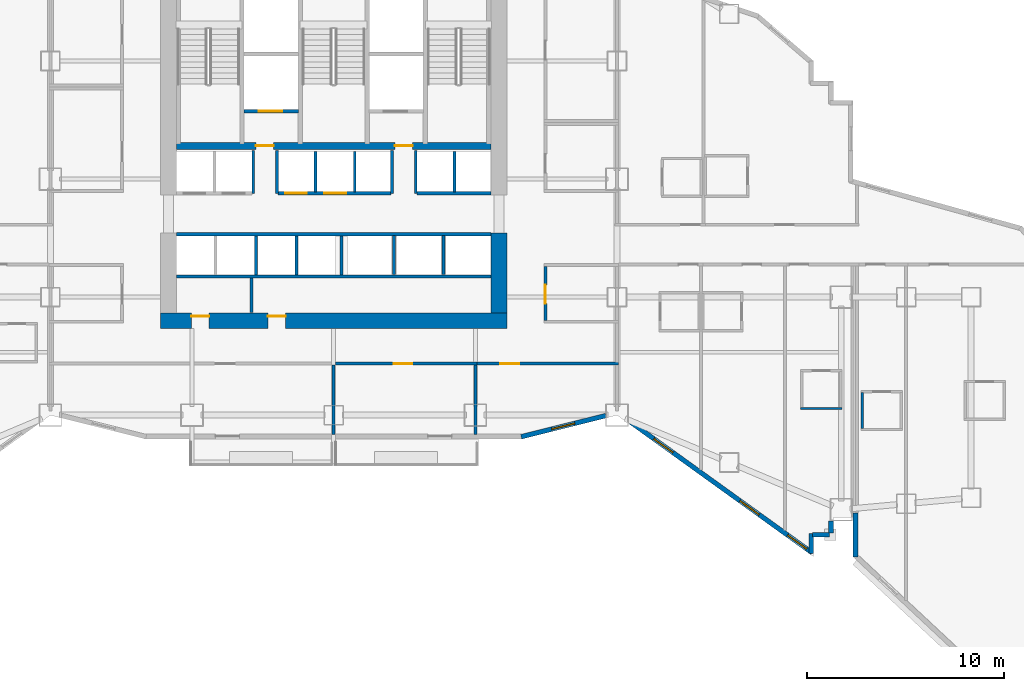
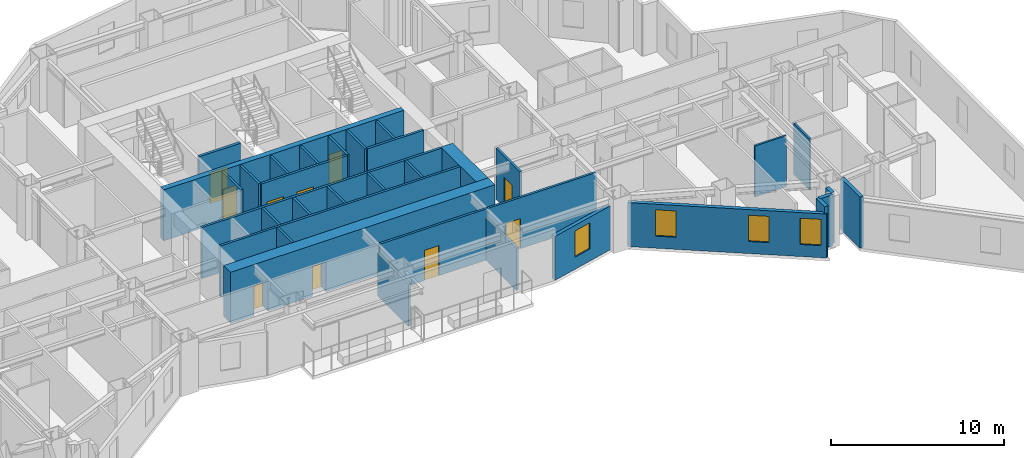
# One storey, part 9 of 16: 34 walls, 10 doors, 4 windows, 14 openings.
"""IFC4 building model written with IfcOpenShell, lengths in metres."""

import ifcopenshell
import ifcopenshell.guid

model = None  # the IFC model being written
_history = None  # IfcOwnerHistory: only IFC2X3 demands one
_inside = {}  # id of a spatial element -> (the spatial element, [elements in it])
_under = {}  # id of a project, library or spatial element -> (it, [spatial elements below it])
_declared = {}  # id of a project -> (the project, [libraries it declares])
_typed = {}  # id of a type object -> (the type object, [elements of that type])
_made_of = {}  # id of a material, layer set ... -> (it, [elements and type objects made of it])


def new_model(schema):
    """Start an empty IFC model of exactly this schema.

    Asked for "IFC4X3", IfcOpenShell would pick the latest addendum, in which some entities
    have other attributes; the version numbers below select the first issue.
    IFC2X3 requires an IfcOwnerHistory on every rooted entity: one is made here for all.
    """
    global model, _history
    if schema == "IFC4X3":
        model = ifcopenshell.file(schema_version=(4, 3, 0, 0))
    else:
        model = ifcopenshell.file(schema=schema)
    _inside.clear()
    _under.clear()
    _declared.clear()
    _typed.clear()
    _made_of.clear()
    _history = None
    if model.schema == "IFC2X3":
        org = make("IfcOrganization", Name="unknown")
        user = make(
            "IfcPersonAndOrganization",
            ThePerson=make("IfcPerson", FamilyName="unknown"),
            TheOrganization=org,
        )
        app = make(
            "IfcApplication",
            ApplicationDeveloper=org,
            Version="unknown",
            ApplicationFullName="unknown",
            ApplicationIdentifier="unknown",
        )
        _history = make(
            "IfcOwnerHistory",
            OwningUser=user,
            OwningApplication=app,
            ChangeAction="ADDED",
            CreationDate=0,
        )
    return model


def make(cls, **values):
    """One entity of the class cls with the attributes given. An attribute that is None is left unset."""
    return model.create_entity(
        cls, **{name: value for name, value in values.items() if value is not None}
    )


def rooted(cls, **values):
    """An entity with a GlobalId (a new one), such as an element, a storey or a relation."""
    return make(cls, GlobalId=ifcopenshell.guid.new(), OwnerHistory=_history, **values)


def si_unit(unit_type, name, prefix=None):
    """IfcSIUnit, for example si_unit("LENGTHUNIT", "METRE", prefix="MILLI")."""
    return make("IfcSIUnit", UnitType=unit_type, Prefix=prefix, Name=name)


def assignment(units):
    """IfcUnitAssignment: the units of a project."""
    return None if units is None else make("IfcUnitAssignment", Units=units)


def point(xyz):
    """IfcCartesianPoint."""
    return None if xyz is None else make("IfcCartesianPoint", Coordinates=xyz)


def direction(xyz):
    """IfcDirection."""
    return None if xyz is None else make("IfcDirection", DirectionRatios=xyz)


def frame(location, z_axis=None, x_axis=None):
    """IfcAxis2Placement3D, a coordinate frame: its origin and axes. An axis left out is left unset."""
    return make(
        "IfcAxis2Placement3D",
        Location=point(location),
        Axis=direction(z_axis),
        RefDirection=direction(x_axis),
    )


def frame_2d(location, x_axis=None):
    """IfcAxis2Placement2D, a coordinate frame in the plane: its origin and x axis."""
    return make(
        "IfcAxis2Placement2D", Location=point(location), RefDirection=direction(x_axis)
    )


def origin():
    """The frame at (0, 0, 0) with its axes left unset."""
    return frame((0.0, 0.0, 0.0))


def place(relative_to, where):
    """IfcLocalPlacement: puts the frame where relative to a parent placement (None: the world)."""
    return make(
        "IfcLocalPlacement", PlacementRelTo=relative_to, RelativePlacement=where
    )


def context(
    kind, dimensions, precision=None, world=None, true_north=None, identifier=None
):
    """IfcGeometricRepresentationContext, for example the 3D "Model" context."""
    return make(
        "IfcGeometricRepresentationContext",
        ContextIdentifier=identifier,
        ContextType=kind,
        CoordinateSpaceDimension=dimensions,
        Precision=precision,
        WorldCoordinateSystem=world,
        TrueNorth=true_north,
    )


def subcontext(parent, identifier, kind, view, scale=None):
    """IfcGeometricRepresentationSubContext, for example "Body" below "Model"."""
    return make(
        "IfcGeometricRepresentationSubContext",
        ContextIdentifier=identifier,
        ContextType=kind,
        ParentContext=parent,
        TargetScale=scale,
        TargetView=view,
    )


def project(units=None, contexts=None):
    """IfcProject with its units and contexts."""
    return rooted(
        "IfcProject",
        Name="project",
        RepresentationContexts=contexts,
        UnitsInContext=assignment(units),
    )


def spatial(cls, under=None, at=None, **own):
    """A site, building, storey or space (cls), placed at a placement, below another one or the project."""
    s = rooted(cls, ObjectPlacement=at, **own)
    if under is not None:
        _under.setdefault(under.id(), (under, []))[1].append(s)
    return s


def profile(cls, at=None, kind="AREA", **sizes):
    """A parametric profile (cls). Its sizes go by their IFC names, for example OverallWidth=200.0."""
    return make(cls, ProfileType=kind, Position=at, **sizes)


def rectangle(**sizes):
    """IfcRectangleProfileDef."""
    return profile("IfcRectangleProfileDef", **sizes)


def extrude(swept, where, along, depth):
    """IfcExtrudedAreaSolid: the profile swept, set in the frame where, extruded along a direction by depth."""
    return make(
        "IfcExtrudedAreaSolid",
        SweptArea=swept,
        Position=where,
        ExtrudedDirection=direction(along),
        Depth=depth,
    )


def shape(context_of_items, identifier, shape_type, items):
    """IfcShapeRepresentation: the items that make up one representation, for example the "Body"."""
    return make(
        "IfcShapeRepresentation",
        ContextOfItems=context_of_items,
        RepresentationIdentifier=identifier,
        RepresentationType=shape_type,
        Items=items,
    )


def material(Name=None, Category=None):
    """IfcMaterial."""
    return make("IfcMaterial", Name=Name, Category=Category)


def layer(
    of_material, thickness, ventilated=None, Name=None, Category=None, Priority=None
):
    """IfcMaterialLayer: one layer of a wall or slab, of a material (None: an air gap)."""
    return make(
        "IfcMaterialLayer",
        Material=of_material,
        LayerThickness=thickness,
        IsVentilated=ventilated,
        Name=Name,
        Category=Category,
        Priority=Priority,
    )


def layer_set(layers, Name=None):
    """IfcMaterialLayerSet."""
    return make("IfcMaterialLayerSet", MaterialLayers=layers, LayerSetName=Name)


def made_of(thing, what):
    """Note that an element or type object is made of a material, layer set ...; save() writes the relation."""
    if what is not None:
        _made_of.setdefault(what.id(), (what, []))[1].append(thing)
    return thing


def type_object(cls, material=None, **own):
    """A type object (cls), such as IfcWallType, which elements share."""
    return made_of(rooted(cls, **own), material)


def element(
    cls,
    number,
    at=None,
    inside=None,
    cuts=None,
    type_object=None,
    material=None,
    context=None,
    identifier="Body",
    shape_type=None,
    held_by="IfcProductDefinitionShape",
    body=None,
    shapes=None,
    **own,
):
    """One element of the class cls, such as IfcWall. Its Tag is "e" and its number.

    at: its placement. inside: the storey or other place that contains it. cuts: it is an
    opening in that element (IfcRelVoidsElement). A single representation is given by context,
    identifier, shape_type and body (its items); several are given by shapes. held_by: the class
    of the entity that holds the representations. save() writes the other relations.
    """
    e = rooted(cls, Tag="e%d" % number, ObjectPlacement=at, **own)
    if body is not None:
        shapes = [shape(context, identifier, shape_type, body)]
    if shapes is not None:
        e.Representation = make(held_by, Representations=shapes)
    if inside is not None:
        _inside.setdefault(inside.id(), (inside, []))[1].append(e)
    if cuts is not None:
        rooted(
            "IfcRelVoidsElement", RelatingBuildingElement=cuts, RelatedOpeningElement=e
        )
    if type_object is not None:
        _typed.setdefault(type_object.id(), (type_object, []))[1].append(e)
    return made_of(e, material)


def fill(opening, filler):
    """IfcRelFillsElement: the door or window that sits in an opening."""
    return rooted(
        "IfcRelFillsElement",
        RelatingOpeningElement=opening,
        RelatedBuildingElement=filler,
    )


def aggregate(whole, parts):
    """IfcRelAggregates: a whole, such as a stair, and the parts it consists of."""
    return rooted("IfcRelAggregates", RelatingObject=whole, RelatedObjects=parts)


def save(model, path):
    """Write the relations noted so far, then the file.

    IfcRelAggregates (storeys below a building ...), IfcRelContainedInSpatialStructure (elements
    in a storey), IfcRelDefinesByType, IfcRelAssociatesMaterial and IfcRelDeclares: one each for
    every whole, place, type object, material and project.
    """
    for whole, parts in _under.values():
        aggregate(whole, parts)
    for where, things in _inside.values():
        rooted(
            "IfcRelContainedInSpatialStructure",
            RelatedElements=things,
            RelatingStructure=where,
        )
    for kind, things in _typed.values():
        rooted("IfcRelDefinesByType", RelatedObjects=things, RelatingType=kind)
    for what, things in _made_of.values():
        rooted("IfcRelAssociatesMaterial", RelatedObjects=things, RelatingMaterial=what)
    for by, libraries in _declared.values():
        rooted("IfcRelDeclares", RelatingContext=by, RelatedDefinitions=libraries)
    model.write(path)


model = new_model("IFC4")

# Units and contexts
model_context = context("Model", 3, precision=1e-05, world=origin(), true_north=direction((0.0, 1.0)))
body_context = subcontext(model_context, "Body", "Model", "MODEL_VIEW")
ifc_project = project(units=[si_unit("LENGTHUNIT", "METRE"), si_unit("AREAUNIT", "SQUARE_METRE"), si_unit("VOLUMEUNIT", "CUBIC_METRE"), si_unit("PLANEANGLEUNIT", "RADIAN"), si_unit("MASSUNIT", "GRAM", prefix="KILO")], contexts=[model_context])

# Site, building, storey
site_placement = place(None, origin())
site = spatial("IfcSite", under=ifc_project, at=site_placement, CompositionType="ELEMENT")
building_placement = place(site_placement, origin())
building = spatial("IfcBuilding", under=site, at=building_placement, Name="Haolan Belvedere Tower", CompositionType="ELEMENT")
storey_placement = place(building_placement, frame((0.0, 0.0, 62.800048828125)))
storey = spatial("IfcBuildingStorey", under=building, at=storey_placement, Name="L15", CompositionType="ELEMENT", Elevation=62.800048828125)

# Wall, openings, doors
ifc_material_1 = material(Name="Concrete C70/85", Category="concrete")
ifc_layer_1 = layer(ifc_material_1, 0.800048828125, Name="Concrete C70/85")
ifc_layer_set_1 = layer_set([ifc_layer_1], Name="Concrete C70/85")
wall_type_1 = type_object("IfcWallType", Name="WL-CORE-800", PredefinedType="SHEAR", material=ifc_layer_set_1)
wall_1_placement = place(storey_placement, frame((29.60009765625, 26.39990234375, 0.0), z_axis=(0.0, 0.0, 1.0), x_axis=(1.0, 0.0, 0.0)))
wall_1 = element("IfcWall", 1, at=wall_1_placement, inside=storey, type_object=wall_type_1, Name="L15 central core south shear wall", PredefinedType="SHEAR", context=body_context, shape_type="SweptSolid", body=[
    extrude(rectangle(XDim=17.599853515625, YDim=0.800048828125, at=frame_2d((8.7998046875, 0.0))), origin(), (0.0, 0.0, 1.0), 3.599853515625),
])
opening_1_placement = place(wall_1_placement, frame((2.469970703125, 0.0, 0.0), z_axis=(0.0, 0.0, 1.0), x_axis=(-1.0, 0.0, 0.0)))
opening_1 = element("IfcOpeningElement", 2, at=opening_1_placement, cuts=wall_1, Name="Opening FD-05", PredefinedType="OPENING", context=body_context, shape_type="SweptSolid", body=[
    extrude(rectangle(XDim=0.89990234375, YDim=2.10009765625, at=frame_2d((0.449951171875, 1.050048828125))), frame((0.0, 0.409912109375, 0.0), z_axis=(0.0, -1.0, 0.0), x_axis=(1.0, 0.0, 0.0)), (0.0, 0.0, 1.0), 0.820068359375),
])
opening_2_placement = place(wall_1_placement, frame((6.35986328125, 0.0, 0.0), z_axis=(0.0, 0.0, 1.0), x_axis=(-1.0, 0.0, 0.0)))
opening_2 = element("IfcOpeningElement", 3, at=opening_2_placement, cuts=wall_1, Name="Opening FD-05", PredefinedType="OPENING", context=body_context, shape_type="SweptSolid", body=[
    extrude(rectangle(XDim=0.89990234375, YDim=2.10009765625, at=frame_2d((0.449951171875, 1.050048828125))), frame((0.0, 0.409912109375, 0.0), z_axis=(0.0, -1.0, 0.0), x_axis=(1.0, 0.0, 0.0)), (0.0, 0.0, 1.0), 0.820068359375),
])
ifc_material_2 = material(Name="Galvanised fire-rated steel", Category="steel")
door_type_1 = type_object("IfcDoorType", Name="DR-FD60-900", OperationType="NOTDEFINED", PredefinedType="DOOR", material=ifc_material_2)
door_1_placement = place(opening_1_placement, origin())
door_1 = element("IfcDoor", 4, at=door_1_placement, inside=storey, type_object=door_type_1, Name="L15 door CD-L15-SCV-1", OperationType="SINGLE_SWING_LEFT", OverallHeight=2.10009765625, OverallWidth=0.89990234375, PredefinedType="DOOR", context=body_context, shape_type="SweptSolid", body=[
    extrude(rectangle(XDim=0.89990234375, YDim=2.10009765625, at=frame_2d((0.449951171875, 1.050048828125))), frame((0.0, -0.19482421875, 0.0), z_axis=(0.0, -1.0, 0.0), x_axis=(1.0, 0.0, 0.0)), (0.0, 0.0, 1.0), 0.050048828125),
])
fill(opening_1, door_1)
door_2_placement = place(opening_2_placement, origin())
door_2 = element("IfcDoor", 5, at=door_2_placement, inside=storey, type_object=door_type_1, Name="L15 door CD-L15-SCV-2", OperationType="SINGLE_SWING_RIGHT", OverallHeight=2.10009765625, OverallWidth=0.89990234375, PredefinedType="DOOR", context=body_context, shape_type="SweptSolid", body=[
    extrude(rectangle(XDim=0.89990234375, YDim=2.10009765625, at=frame_2d((0.449951171875, 1.050048828125))), frame((0.0, -0.19482421875, 0.0), z_axis=(0.0, -1.0, 0.0), x_axis=(1.0, 0.0, 0.0)), (0.0, 0.0, 1.0), 0.050048828125),
])
fill(opening_2, door_2)

# Wall
wall_2_placement = place(storey_placement, frame((46.800048828125, 26.800048828125, 0.0), z_axis=(0.0, 0.0, 1.0), x_axis=(0.0, 1.0, 0.0)))
element("IfcWall", 6, at=wall_2_placement, inside=storey, type_object=wall_type_1, Name="L15 central core shear wall ES", PredefinedType="SHEAR", context=body_context, shape_type="SweptSolid", body=[
    extrude(rectangle(XDim=4.050048828125, YDim=0.800048828125, at=frame_2d((2.02490234375, 0.0))), origin(), (0.0, 0.0, 1.0), 3.599853515625),
])

# Wall, opening, window
ifc_material_3 = material(Name="Precast concrete C40/50", Category="concrete")
ifc_layer_2 = layer(ifc_material_3, 0.239990234375, Name="Precast concrete C40/50")
ifc_layer_set_2 = layer_set([ifc_layer_2], Name="Precast concrete C40/50")
wall_type_2 = type_object("IfcWallType", Name="WL-EXT-240", PredefinedType="SOLIDWALL", material=ifc_layer_set_2)
wall_3_placement = place(storey_placement, frame((47.931884765625, 20.506591796875, 0.0), z_axis=(0.0, 0.0, 1.0), x_axis=(0.970145739396, 0.242522667667, 0.0)))
wall_3 = element("IfcWall", 7, at=wall_3_placement, inside=storey, type_object=wall_type_2, Name="L15 pale-metal exterior spandrel wall 14.1", PredefinedType="SOLIDWALL", context=body_context, shape_type="SweptSolid", body=[
    extrude(rectangle(XDim=4.433349609375, YDim=0.239990234375, at=frame_2d((2.216796875, 0.0))), origin(), (0.0, 0.0, 1.0), 3.096923828125),
])
opening_3_placement = place(wall_3_placement, frame((1.60009765625, 0.0, 0.85009765625)))
opening_3 = element("IfcOpeningElement", 8, at=opening_3_placement, cuts=wall_3, Name="Opening W-01", PredefinedType="OPENING", context=body_context, shape_type="SweptSolid", body=[
    extrude(rectangle(XDim=1.199951171875, YDim=1.85009765625, at=frame_2d((0.60009765625, 0.925048828125))), frame((0.0, 0.1298828125, 0.0), z_axis=(0.0, -1.0, 0.0), x_axis=(1.0, 0.0, 0.0)), (0.0, 0.0, 1.0), 0.260009765625),
])
ifc_material_4 = material(Name="Anodised aluminium 6063-T6 and Low-E glass", Category="aluminium")
window_type = type_object("IfcWindowType", Name="WN-DECO-Z1", PartitioningType="SINGLE_PANEL", PredefinedType="WINDOW", material=ifc_material_4)
window_1_placement = place(opening_3_placement, origin())
window_1 = element("IfcWindow", 9, at=window_1_placement, inside=storey, type_object=window_type, Name="L15 Art Deco chevron window 1", OverallHeight=1.85009765625, OverallWidth=1.199951171875, PartitioningType="SINGLE_PANEL", PredefinedType="WINDOW", context=body_context, shape_type="SweptSolid", body=[
    extrude(rectangle(XDim=1.199951171875, YDim=1.85009765625, at=frame_2d((0.60009765625, 0.925048828125))), frame((0.0, 0.030029296875, 0.0), z_axis=(0.0, -1.0, 0.0), x_axis=(1.0, 0.0, 0.0)), (0.0, 0.0, 1.0), 0.06005859375),
])
fill(opening_3, window_1)

# Wall, openings, windows
wall_4_placement = place(storey_placement, frame((53.366943359375, 21.339599609375, 0.0), z_axis=(0.0, 0.0, 1.0), x_axis=(0.811543176492, -0.58429245476, 0.0)))
wall_4 = element("IfcWall", 10, at=wall_4_placement, inside=storey, type_object=wall_type_2, Name="L15 pale-metal exterior spandrel wall 15.1", PredefinedType="SOLIDWALL", context=body_context, shape_type="SweptSolid", body=[
    extrude(rectangle(XDim=11.53076171875, YDim=0.239990234375, at=frame_2d((5.765380859375, 0.0))), origin(), (0.0, 0.0, 1.0), 3.096923828125),
])
opening_4_placement = place(wall_4_placement, frame((1.60009765625, 0.0, 0.85009765625)))
opening_4 = element("IfcOpeningElement", 11, at=opening_4_placement, cuts=wall_4, Name="Opening W-01", PredefinedType="OPENING", context=body_context, shape_type="SweptSolid", body=[
    extrude(rectangle(XDim=1.199951171875, YDim=1.85009765625, at=frame_2d((0.60009765625, 0.925048828125))), frame((0.0, 0.1298828125, 0.0), z_axis=(0.0, -1.0, 0.0), x_axis=(1.0, 0.0, 0.0)), (0.0, 0.0, 1.0), 0.260009765625),
])
opening_5_placement = place(wall_4_placement, frame((7.0, 0.0, 0.85009765625)))
opening_5 = element("IfcOpeningElement", 12, at=opening_5_placement, cuts=wall_4, Name="Opening W-01", PredefinedType="OPENING", context=body_context, shape_type="SweptSolid", body=[
    extrude(rectangle(XDim=1.199951171875, YDim=1.85009765625, at=frame_2d((0.60009765625, 0.925048828125))), frame((0.0, 0.1298828125, 0.0), z_axis=(0.0, -1.0, 0.0), x_axis=(1.0, 0.0, 0.0)), (0.0, 0.0, 1.0), 0.260009765625),
])
opening_6_placement = place(wall_4_placement, frame((9.989990234375, 0.0, 0.85009765625)))
opening_6 = element("IfcOpeningElement", 13, at=opening_6_placement, cuts=wall_4, Name="Opening W-01", PredefinedType="OPENING", context=body_context, shape_type="SweptSolid", body=[
    extrude(rectangle(XDim=1.199951171875, YDim=1.85009765625, at=frame_2d((0.60009765625, 0.925048828125))), frame((0.0, 0.1298828125, 0.0), z_axis=(0.0, -1.0, 0.0), x_axis=(1.0, 0.0, 0.0)), (0.0, 0.0, 1.0), 0.260009765625),
])
window_2_placement = place(opening_4_placement, origin())
window_2 = element("IfcWindow", 14, at=window_2_placement, inside=storey, type_object=window_type, Name="L15 Art Deco chevron window 1", OverallHeight=1.85009765625, OverallWidth=1.199951171875, PartitioningType="SINGLE_PANEL", PredefinedType="WINDOW", context=body_context, shape_type="SweptSolid", body=[
    extrude(rectangle(XDim=1.199951171875, YDim=1.85009765625, at=frame_2d((0.60009765625, 0.925048828125))), frame((0.0, 0.030029296875, 0.0), z_axis=(0.0, -1.0, 0.0), x_axis=(1.0, 0.0, 0.0)), (0.0, 0.0, 1.0), 0.06005859375),
])
fill(opening_4, window_2)
window_3_placement = place(opening_5_placement, origin())
window_3 = element("IfcWindow", 15, at=window_3_placement, inside=storey, type_object=window_type, Name="L15 Art Deco chevron window 2", OverallHeight=1.85009765625, OverallWidth=1.199951171875, PartitioningType="SINGLE_PANEL", PredefinedType="WINDOW", context=body_context, shape_type="SweptSolid", body=[
    extrude(rectangle(XDim=1.199951171875, YDim=1.85009765625, at=frame_2d((0.60009765625, 0.925048828125))), frame((0.0, 0.030029296875, 0.0), z_axis=(0.0, -1.0, 0.0), x_axis=(1.0, 0.0, 0.0)), (0.0, 0.0, 1.0), 0.06005859375),
])
fill(opening_5, window_3)
window_4_placement = place(opening_6_placement, origin())
window_4 = element("IfcWindow", 16, at=window_4_placement, inside=storey, type_object=window_type, Name="L15 Art Deco guestroom window 2", OverallHeight=1.85009765625, OverallWidth=1.199951171875, PartitioningType="SINGLE_PANEL", PredefinedType="WINDOW", context=body_context, shape_type="SweptSolid", body=[
    extrude(rectangle(XDim=1.199951171875, YDim=1.85009765625, at=frame_2d((0.60009765625, 0.925048828125))), frame((0.0, 0.030029296875, 0.0), z_axis=(0.0, -1.0, 0.0), x_axis=(1.0, 0.0, 0.0)), (0.0, 0.0, 1.0), 0.06005859375),
])
fill(opening_6, window_4)

# Walls
wall_5_placement = place(storey_placement, frame((62.679931640625, 14.579345703125, 0.0), z_axis=(0.0, 0.0, 1.0), x_axis=(0.0, 1.0, 0.0)))
element("IfcWall", 17, at=wall_5_placement, inside=storey, type_object=wall_type_2, Name="L15 pale-metal exterior spandrel wall 16.1", PredefinedType="SOLIDWALL", context=body_context, shape_type="SweptSolid", body=[
    extrude(rectangle(XDim=0.99560546875, YDim=0.239990234375, at=frame_2d((0.497802734375, 0.0))), origin(), (0.0, 0.0, 1.0), 3.599853515625),
])
wall_6_placement = place(storey_placement, frame((62.7451171875, 15.52001953125, 0.0), z_axis=(0.0, 0.0, 1.0), x_axis=(1.0, 0.0, 0.0)))
element("IfcWall", 18, at=wall_6_placement, inside=storey, type_object=wall_type_2, Name="L15 pale-metal exterior spandrel wall 17.1", PredefinedType="SOLIDWALL", context=body_context, shape_type="SweptSolid", body=[
    extrude(rectangle(XDim=0.849853515625, YDim=0.239990234375, at=frame_2d((0.4248046875, 0.0))), origin(), (0.0, 0.0, 1.0), 3.599853515625),
])
wall_7_placement = place(storey_placement, frame((63.679931640625, 15.60498046875, 0.0), z_axis=(0.0, 0.0, 1.0), x_axis=(0.0, 1.0, 0.0)))
element("IfcWall", 19, at=wall_7_placement, inside=storey, type_object=wall_type_2, Name="L15 pale-metal exterior spandrel wall 18.1", PredefinedType="SOLIDWALL", context=body_context, shape_type="SweptSolid", body=[
    extrude(rectangle(XDim=0.6279296875, YDim=0.239990234375, at=frame_2d((0.31396484375, 0.0))), origin(), (0.0, 0.0, 1.0), 3.599853515625),
])
wall_8_placement = place(storey_placement, frame((64.919921875, 16.639892578125, 0.0), z_axis=(0.0, 0.0, 1.0), x_axis=(0.0, -1.0, 0.0)))
element("IfcWall", 20, at=wall_8_placement, inside=storey, type_object=wall_type_2, Name="L15 pale-metal exterior spandrel wall 20.1", PredefinedType="SOLIDWALL", context=body_context, shape_type="SweptSolid", body=[
    extrude(rectangle(XDim=2.24267578125, YDim=0.239990234375, at=frame_2d((1.121337890625, 0.0))), origin(), (0.0, 0.0, 1.0), 3.599853515625),
])
ifc_material_5 = material(Name="Double gypsum acoustic stud partition", Category="masonry")
ifc_layer_3 = layer(ifc_material_5, 0.14990234375, Name="Double gypsum acoustic stud partition")
ifc_layer_set_3 = layer_set([ifc_layer_3], Name="Double gypsum acoustic stud partition")
wall_type_3 = type_object("IfcWallType", Name="WL-PART-150", PredefinedType="PARTITIONING", material=ifc_layer_set_3)
wall_9_placement = place(storey_placement, frame((30.39990234375, 28.659912109375, 0.0), z_axis=(0.0, 0.0, 1.0), x_axis=(1.0, 0.0, 0.0)))
element("IfcWall", 21, at=wall_9_placement, inside=storey, type_object=wall_type_3, Name="L15 interior partition IW-L15-SSTRIP-N", PredefinedType="PARTITIONING", context=body_context, shape_type="SweptSolid", body=[
    extrude(rectangle(XDim=16.0, YDim=0.14990234375, at=frame_2d((8.0, 0.0))), origin(), (0.0, 0.0, 1.0), 3.599853515625),
])
wall_10_placement = place(storey_placement, frame((34.22998046875, 26.81005859375, 0.0), z_axis=(0.0, 0.0, 1.0), x_axis=(0.0, 1.0, 0.0)))
element("IfcWall", 22, at=wall_10_placement, inside=storey, type_object=wall_type_3, Name="L15 interior partition IW-L15-SCV-DIV-1", PredefinedType="PARTITIONING", context=body_context, shape_type="SweptSolid", body=[
    extrude(rectangle(XDim=1.77001953125, YDim=0.14990234375, at=frame_2d((0.885009765625, 0.0))), origin(), (0.0, 0.0, 1.0), 3.599853515625),
])

# Wall, opening, door
wall_11_placement = place(storey_placement, frame((49.159912109375, 26.409912109375, 0.0), z_axis=(0.0, 0.0, 1.0), x_axis=(0.0, 1.0, 0.0)))
wall_11 = element("IfcWall", 23, at=wall_11_placement, inside=storey, type_object=wall_type_3, Name="L15 interior partition IW-L15-PKTE-W", PredefinedType="PARTITIONING", context=body_context, shape_type="SweptSolid", body=[
    extrude(rectangle(XDim=2.760009765625, YDim=0.14990234375, at=frame_2d((1.3798828125, 0.0))), origin(), (0.0, 0.0, 1.0), 3.599853515625),
])
opening_7_placement = place(wall_11_placement, frame((0.860107421875, 0.0, 0.0)))
opening_7 = element("IfcOpeningElement", 24, at=opening_7_placement, cuts=wall_11, Name="Opening ID-03", PredefinedType="OPENING", context=body_context, shape_type="SweptSolid", body=[
    extrude(rectangle(XDim=0.949951171875, YDim=2.1201171875, at=frame_2d((0.47509765625, 1.06005859375))), frame((0.0, 0.0849609375, 0.0), z_axis=(0.0, -1.0, 0.0), x_axis=(1.0, 0.0, 0.0)), (0.0, 0.0, 1.0), 0.169921875),
])
ifc_material_6 = material(Name="Painted solid-core timber", Category="wood")
door_type_2 = type_object("IfcDoorType", Name="DR-INT-950", OperationType="NOTDEFINED", PredefinedType="DOOR", material=ifc_material_6)
door_3_placement = place(opening_7_placement, origin())
door_3 = element("IfcDoor", 25, at=door_3_placement, inside=storey, type_object=door_type_2, Name="L15 door ID-L15-PKTE", OperationType="SINGLE_SWING_RIGHT", OverallHeight=2.1201171875, OverallWidth=0.949951171875, PredefinedType="DOOR", context=body_context, shape_type="SweptSolid", body=[
    extrude(rectangle(XDim=0.949951171875, YDim=2.1201171875, at=frame_2d((0.47509765625, 1.06005859375))), frame((0.0, 0.02490234375, 0.0), z_axis=(0.0, -1.0, 0.0), x_axis=(1.0, 0.0, 0.0)), (0.0, 0.0, 1.0), 0.050048828125),
])
fill(opening_7, door_3)

# Wall
wall_12_placement = place(storey_placement, frame((38.39990234375, 20.625, 0.0), z_axis=(0.0, 0.0, 1.0), x_axis=(0.0, 1.0, 0.0)))
element("IfcWall", 26, at=wall_12_placement, inside=storey, type_object=wall_type_3, Name="L15 interior partition IW-L15-KS1-E", PredefinedType="PARTITIONING", context=body_context, shape_type="SweptSolid", body=[
    extrude(rectangle(XDim=3.534912109375, YDim=0.14990234375, at=frame_2d((1.767578125, 0.0))), origin(), (0.0, 0.0, 1.0), 2.98486328125),
])

# Wall, opening, door
wall_13_placement = place(storey_placement, frame((38.48193359375, 24.219970703125, 0.0), z_axis=(0.0, 0.0, 1.0), x_axis=(1.0, 0.0, 0.0)))
wall_13 = element("IfcWall", 27, at=wall_13_placement, inside=storey, type_object=wall_type_3, Name="L15 interior partition IW-L15-KS2-N", PredefinedType="PARTITIONING", context=body_context, shape_type="SweptSolid", body=[
    extrude(rectangle(XDim=7.197998046875, YDim=0.14990234375, at=frame_2d((3.59912109375, 0.0))), origin(), (0.0, 0.0, 1.0), 3.599853515625),
])
opening_8_placement = place(wall_13_placement, frame((3.912841796875, 0.0, 0.0), z_axis=(0.0, 0.0, 1.0), x_axis=(-1.0, 0.0, 0.0)))
opening_8 = element("IfcOpeningElement", 28, at=opening_8_placement, cuts=wall_13, Name="Opening ID-03", PredefinedType="OPENING", context=body_context, shape_type="SweptSolid", body=[
    extrude(rectangle(XDim=0.949951171875, YDim=2.1201171875, at=frame_2d((0.47509765625, 1.06005859375))), frame((0.0, 0.0849609375, 0.0), z_axis=(0.0, -1.0, 0.0), x_axis=(1.0, 0.0, 0.0)), (0.0, 0.0, 1.0), 0.169921875),
])
door_4_placement = place(opening_8_placement, origin())
door_4 = element("IfcDoor", 29, at=door_4_placement, inside=storey, type_object=door_type_2, Name="L15 door ID-L15-KS2", OperationType="SINGLE_SWING_RIGHT", OverallHeight=2.1201171875, OverallWidth=0.949951171875, PredefinedType="DOOR", context=body_context, shape_type="SweptSolid", body=[
    extrude(rectangle(XDim=0.949951171875, YDim=2.1201171875, at=frame_2d((0.47509765625, 1.06005859375))), frame((0.0, 0.02490234375, 0.0), z_axis=(0.0, -1.0, 0.0), x_axis=(1.0, 0.0, 0.0)), (0.0, 0.0, 1.0), 0.050048828125),
])
fill(opening_8, door_4)

# Wall
wall_14_placement = place(storey_placement, frame((45.60009765625, 20.625, 0.0), z_axis=(0.0, 0.0, 1.0), x_axis=(0.0, 1.0, 0.0)))
element("IfcWall", 30, at=wall_14_placement, inside=storey, type_object=wall_type_3, Name="L15 interior partition IW-L15-KS2-E", PredefinedType="PARTITIONING", context=body_context, shape_type="SweptSolid", body=[
    extrude(rectangle(XDim=3.534912109375, YDim=0.14990234375, at=frame_2d((1.767578125, 0.0))), origin(), (0.0, 0.0, 1.0), 2.98486328125),
])

# Wall, opening, door
wall_15_placement = place(storey_placement, frame((45.681884765625, 24.219970703125, 0.0), z_axis=(0.0, 0.0, 1.0), x_axis=(1.0, 0.0, 0.0)))
wall_15 = element("IfcWall", 31, at=wall_15_placement, inside=storey, type_object=wall_type_3, Name="L15 interior partition IW-L15-KS3-N", PredefinedType="PARTITIONING", context=body_context, shape_type="SweptSolid", body=[
    extrude(rectangle(XDim=7.197998046875, YDim=0.14990234375, at=frame_2d((3.59912109375, 0.0))), origin(), (0.0, 0.0, 1.0), 3.599853515625),
])
opening_9_placement = place(wall_15_placement, frame((2.14306640625, 0.0, 0.0), z_axis=(0.0, 0.0, 1.0), x_axis=(-1.0, 0.0, 0.0)))
opening_9 = element("IfcOpeningElement", 32, at=opening_9_placement, cuts=wall_15, Name="Opening ID-03", PredefinedType="OPENING", context=body_context, shape_type="SweptSolid", body=[
    extrude(rectangle(XDim=0.949951171875, YDim=2.1201171875, at=frame_2d((0.47509765625, 1.06005859375))), frame((0.0, 0.0849609375, 0.0), z_axis=(0.0, -1.0, 0.0), x_axis=(1.0, 0.0, 0.0)), (0.0, 0.0, 1.0), 0.169921875),
])
door_5_placement = place(opening_9_placement, origin())
door_5 = element("IfcDoor", 33, at=door_5_placement, inside=storey, type_object=door_type_2, Name="L15 door ID-L15-KS3", OperationType="SINGLE_SWING_LEFT", OverallHeight=2.1201171875, OverallWidth=0.949951171875, PredefinedType="DOOR", context=body_context, shape_type="SweptSolid", body=[
    extrude(rectangle(XDim=0.949951171875, YDim=2.1201171875, at=frame_2d((0.47509765625, 1.06005859375))), frame((0.0, 0.02490234375, 0.0), z_axis=(0.0, -1.0, 0.0), x_axis=(1.0, 0.0, 0.0)), (0.0, 0.0, 1.0), 0.050048828125),
])
fill(opening_9, door_5)

# Walls
ifc_material_7 = material(Name="Gypsum fire shaftwall assembly", Category="masonry")
ifc_layer_4 = layer(ifc_material_7, 0.1650390625, Name="Gypsum fire shaftwall assembly")
ifc_layer_set_4 = layer_set([ifc_layer_4], Name="Gypsum fire shaftwall assembly")
wall_type_4 = type_object("IfcWallType", Name="WL-SHAFT-160", PredefinedType="SOLIDWALL", material=ifc_layer_set_4)
for number, where, z_axis, x_axis, name in (
    (34, (34.31005859375, 32.8798828125, 0.0), (0.0, 0.0, 1.0), (0.0, 1.0, 0.0), "L15 interior partition IW-L15-SVP-W-SV1"),
    (35, (35.510009765625, 32.8798828125, 0.0), (0.0, 0.0, 1.0), (0.0, 1.0, 0.0), "L15 interior partition IW-L15-SVP-E-SV1"),
    (36, (41.3701171875, 32.8798828125, 0.0), (0.0, 0.0, 1.0), (0.0, 1.0, 0.0), "L15 interior partition IW-L15-SVP-W-SV2"),
    (37, (42.570068359375, 32.8798828125, 0.0), (0.0, 0.0, 1.0), (0.0, 1.0, 0.0), "L15 interior partition IW-L15-SVP-E-SV2"),
):
    element("IfcWall", number, at=place(storey_placement, frame(where, z_axis=z_axis, x_axis=x_axis)), inside=storey, type_object=wall_type_4, Name=name, PredefinedType="SOLIDWALL", context=body_context, shape_type="SweptSolid", body=[
        extrude(rectangle(XDim=2.170166015625, YDim=0.14990234375, at=frame_2d((1.0849609375, 0.0))), origin(), (0.0, 0.0, 1.0), 3.599853515625),
    ])

# Wall, openings, doors
wall_16_placement = place(storey_placement, frame((35.570068359375, 32.8798828125, 0.0), z_axis=(0.0, 0.0, 1.0), x_axis=(1.0, 0.0, 0.0)))
wall_16 = element("IfcWall", 38, at=wall_16_placement, inside=storey, type_object=wall_type_4, Name="L15 interior partition IW-L15-ROW-PN2", PredefinedType="SOLIDWALL", context=body_context, shape_type="SweptSolid", body=[
    extrude(rectangle(XDim=5.739990234375, YDim=0.159912109375, at=frame_2d((2.8701171875, 0.0))), origin(), (0.0, 0.0, 1.0), 3.599853515625),
])
opening_10_placement = place(wall_16_placement, frame((1.47021484375, 0.0, 0.0), z_axis=(0.0, 0.0, 1.0), x_axis=(-1.0, 0.0, 0.0)))
opening_10 = element("IfcOpeningElement", 39, at=opening_10_placement, cuts=wall_16, Name="Opening LD-01", PredefinedType="OPENING", context=body_context, shape_type="SweptSolid", body=[
    extrude(rectangle(XDim=1.10009765625, YDim=2.199951171875, at=frame_2d((0.550048828125, 1.10009765625))), frame((0.0, 0.08984375, 0.0), z_axis=(0.0, -1.0, 0.0), x_axis=(1.0, 0.0, 0.0)), (0.0, 0.0, 1.0), 0.179931640625),
])
opening_11_placement = place(wall_16_placement, frame((3.460205078125, 0.0, 0.0), z_axis=(0.0, 0.0, 1.0), x_axis=(-1.0, 0.0, 0.0)))
opening_11 = element("IfcOpeningElement", 40, at=opening_11_placement, cuts=wall_16, Name="Opening LD-01", PredefinedType="OPENING", context=body_context, shape_type="SweptSolid", body=[
    extrude(rectangle(XDim=1.10009765625, YDim=2.199951171875, at=frame_2d((0.550048828125, 1.10009765625))), frame((0.0, 0.08984375, 0.0), z_axis=(0.0, -1.0, 0.0), x_axis=(1.0, 0.0, 0.0)), (0.0, 0.0, 1.0), 0.179931640625),
])
ifc_material_8 = material(Name="Brushed champagne stainless steel 316L", Category="steel")
door_type_3 = type_object("IfcDoorType", Name="DR-LIFT-1100", OperationType="SLIDING_TO_LEFT", PredefinedType="DOOR", material=ifc_material_8)
door_6_placement = place(opening_10_placement, origin())
door_6 = element("IfcDoor", 41, at=door_6_placement, inside=storey, type_object=door_type_3, Name="L15 door ID-L15-LD-PL3", OperationType="SLIDING_TO_LEFT", OverallHeight=2.199951171875, OverallWidth=1.10009765625, PredefinedType="DOOR", context=body_context, shape_type="SweptSolid", body=[
    extrude(rectangle(XDim=1.10009765625, YDim=2.199951171875, at=frame_2d((0.550048828125, 1.10009765625))), frame((0.0, 0.02490234375, 0.0), z_axis=(0.0, -1.0, 0.0), x_axis=(1.0, 0.0, 0.0)), (0.0, 0.0, 1.0), 0.050048828125),
])
fill(opening_10, door_6)
door_7_placement = place(opening_11_placement, origin())
door_7 = element("IfcDoor", 42, at=door_7_placement, inside=storey, type_object=door_type_3, Name="L15 door ID-L15-LD-PL4", OperationType="SLIDING_TO_LEFT", OverallHeight=2.199951171875, OverallWidth=1.10009765625, PredefinedType="DOOR", context=body_context, shape_type="SweptSolid", body=[
    extrude(rectangle(XDim=1.10009765625, YDim=2.199951171875, at=frame_2d((0.550048828125, 1.10009765625))), frame((0.0, 0.02490234375, 0.0), z_axis=(0.0, -1.0, 0.0), x_axis=(1.0, 0.0, 0.0)), (0.0, 0.0, 1.0), 0.050048828125),
])
fill(opening_11, door_7)

# Walls
wall_17_placement = place(storey_placement, frame((42.6298828125, 32.8798828125, 0.0), z_axis=(0.0, 0.0, 1.0), x_axis=(1.0, 0.0, 0.0)))
element("IfcWall", 43, at=wall_17_placement, inside=storey, type_object=wall_type_4, Name="L15 interior partition IW-L15-ROW-PN3", PredefinedType="SOLIDWALL", context=body_context, shape_type="SweptSolid", body=[
    extrude(rectangle(XDim=3.77001953125, YDim=0.159912109375, at=frame_2d((1.885009765625, 0.0))), origin(), (0.0, 0.0, 1.0), 3.599853515625),
])
for number, where, z_axis, x_axis, name in (
    (44, (37.47998046875, 32.949951171875, 0.0), (0.0, 0.0, 1.0), (0.0, 1.0, 0.0), "L15 interior partition IW-L15-DIV-PL3"),
    (45, (39.469970703125, 32.949951171875, 0.0), (0.0, 0.0, 1.0), (0.0, 1.0, 0.0), "L15 interior partition IW-L15-DIV-PL4"),
    (46, (44.530029296875, 32.949951171875, 0.0), (0.0, 0.0, 1.0), (0.0, 1.0, 0.0), "L15 interior partition IW-L15-DIV-PH2"),
):
    element("IfcWall", number, at=place(storey_placement, frame(where, z_axis=z_axis, x_axis=x_axis)), inside=storey, type_object=wall_type_4, Name=name, PredefinedType="SOLIDWALL", context=body_context, shape_type="SweptSolid", body=[
        extrude(rectangle(XDim=2.050048828125, YDim=0.14990234375, at=frame_2d((1.02490234375, 0.0))), origin(), (0.0, 0.0, 1.0), 3.599853515625),
    ])
wall_18_placement = place(storey_placement, frame((30.39990234375, 30.800048828125, 0.0), z_axis=(0.0, 0.0, 1.0), x_axis=(1.0, 0.0, 0.0)))
element("IfcWall", 47, at=wall_18_placement, inside=storey, type_object=wall_type_4, Name="L15 interior partition IW-L15-ROW-PS", PredefinedType="SOLIDWALL", context=body_context, shape_type="SweptSolid", body=[
    extrude(rectangle(XDim=16.0, YDim=0.159912109375, at=frame_2d((8.0, 0.0))), origin(), (0.0, 0.0, 1.0), 3.599853515625),
])
for number, where, z_axis, x_axis, name in (
    (48, (34.4599609375, 28.735107421875, 0.0), (0.0, 0.0, 1.0), (0.0, 1.0, 0.0), "L15 interior partition IW-L15-DIV-PM2"),
    (49, (36.52001953125, 28.735107421875, 0.0), (0.0, 0.0, 1.0), (0.0, 1.0, 0.0), "L15 interior partition IW-L15-DIV-PM3"),
    (50, (38.800048828125, 28.735107421875, 0.0), (0.0, 0.0, 1.0), (0.0, 1.0, 0.0), "L15 interior partition IW-L15-DIV-PM4"),
):
    element("IfcWall", number, at=place(storey_placement, frame(where, z_axis=z_axis, x_axis=x_axis)), inside=storey, type_object=wall_type_4, Name=name, PredefinedType="SOLIDWALL", context=body_context, shape_type="SweptSolid", body=[
        extrude(rectangle(XDim=1.98486328125, YDim=0.14990234375, at=frame_2d((0.992431640625, 0.0))), origin(), (0.0, 0.0, 1.0), 3.599853515625),
    ])
for number, where, z_axis, x_axis, name in (
    (51, (41.469970703125, 28.75, 0.0), (0.0, 0.0, 1.0), (0.0, 1.0, 0.0), "L15 interior partition IW-L15-DIV-OB1"),
    (52, (43.97998046875, 28.75, 0.0), (0.0, 0.0, 1.0), (0.0, 1.0, 0.0), "L15 interior partition IW-L15-DIV-OB2"),
):
    element("IfcWall", number, at=place(storey_placement, frame(where, z_axis=z_axis, x_axis=x_axis)), inside=storey, type_object=wall_type_4, Name=name, PredefinedType="SOLIDWALL", context=body_context, shape_type="SweptSolid", body=[
        extrude(rectangle(XDim=1.985107421875, YDim=0.14990234375, at=frame_2d((0.99267578125, 0.0))), origin(), (0.0, 0.0, 1.0), 3.599853515625),
    ])

# Wall, opening, door
ifc_layer_5 = layer(ifc_material_3, 0.179931640625, Name="Precast concrete C40/50")
ifc_layer_set_5 = layer_set([ifc_layer_5], Name="Precast concrete C40/50")
wall_type_5 = type_object("IfcWallType", Name="WL-SHAFT-180", PredefinedType="SOLIDWALL", material=ifc_layer_set_5)
wall_19_placement = place(storey_placement, frame((33.8349609375, 37.050048828125, 0.0), z_axis=(0.0, 0.0, 1.0), x_axis=(1.0, 0.0, 0.0)))
wall_19 = element("IfcWall", 53, at=wall_19_placement, inside=storey, type_object=wall_type_5, Name="L15 interior partition IW-L15-SV1-S", PredefinedType="SOLIDWALL", context=body_context, shape_type="SweptSolid", body=[
    extrude(rectangle(XDim=2.77001953125, YDim=0.179931640625, at=frame_2d((1.385009765625, 0.0))), origin(), (0.0, 0.0, 1.0), 3.599853515625),
])
opening_12_placement = place(wall_19_placement, frame((1.945068359375, 0.0, 0.0), z_axis=(0.0, 0.0, 1.0), x_axis=(-1.0, 0.0, 0.0)))
opening_12 = element("IfcOpeningElement", 54, at=opening_12_placement, cuts=wall_19, Name="Opening LD-02", PredefinedType="OPENING", context=body_context, shape_type="SweptSolid", body=[
    extrude(rectangle(XDim=1.199951171875, YDim=2.199951171875, at=frame_2d((0.60009765625, 1.10009765625))), frame((0.0, 0.099853515625, 0.0), z_axis=(0.0, -1.0, 0.0), x_axis=(1.0, 0.0, 0.0)), (0.0, 0.0, 1.0), 0.199951171875),
])
door_type_4 = type_object("IfcDoorType", Name="DR-LIFT-1200", OperationType="SLIDING_TO_RIGHT", PredefinedType="DOOR", material=ifc_material_8)
door_8_placement = place(opening_12_placement, origin())
door_8 = element("IfcDoor", 55, at=door_8_placement, inside=storey, type_object=door_type_4, Name="L15 door ID-L15-LD-SV1", OperationType="SLIDING_TO_RIGHT", OverallHeight=2.199951171875, OverallWidth=1.199951171875, PredefinedType="DOOR", context=body_context, shape_type="SweptSolid", body=[
    extrude(rectangle(XDim=1.199951171875, YDim=2.199951171875, at=frame_2d((0.60009765625, 1.10009765625))), frame((0.0, 0.02490234375, 0.0), z_axis=(0.0, -1.0, 0.0), x_axis=(1.0, 0.0, 0.0)), (0.0, 0.0, 1.0), 0.050048828125),
])
fill(opening_12, door_8)

# Wall, openings, doors
ifc_material_9 = material(Name="Concrete C60/75", Category="concrete")
ifc_layer_6 = layer(ifc_material_9, 0.360107421875, Name="Concrete C60/75")
ifc_layer_set_6 = layer_set([ifc_layer_6], Name="Concrete C60/75")
wall_type_6 = type_object("IfcWallType", Name="WL-WEB-350", PredefinedType="SHEAR", material=ifc_layer_set_6)
wall_20_placement = place(storey_placement, frame((30.39990234375, 35.2900390625, 0.0), z_axis=(0.0, 0.0, 1.0), x_axis=(1.0, 0.0, 0.0)))
wall_20 = element("IfcWall", 56, at=wall_20_placement, inside=storey, type_object=wall_type_6, Name="L15 central core internal shear web", PredefinedType="SHEAR", context=body_context, shape_type="SweptSolid", body=[
    extrude(rectangle(XDim=16.0, YDim=0.360107421875, at=frame_2d((8.0, 0.0))), origin(), (0.0, 0.0, 1.0), 3.599853515625),
])
opening_13_placement = place(wall_20_placement, frame((4.949951171875, 0.0, 0.0), z_axis=(0.0, 0.0, 1.0), x_axis=(-1.0, 0.0, 0.0)))
opening_13 = element("IfcOpeningElement", 57, at=opening_13_placement, cuts=wall_20, Name="Opening FD-05", PredefinedType="OPENING", context=body_context, shape_type="SweptSolid", body=[
    extrude(rectangle(XDim=0.89990234375, YDim=2.10009765625, at=frame_2d((0.449951171875, 1.050048828125))), frame((0.0, 0.18994140625, 0.0), z_axis=(0.0, -1.0, 0.0), x_axis=(1.0, 0.0, 0.0)), (0.0, 0.0, 1.0), 0.380126953125),
])
opening_14_placement = place(wall_20_placement, frame((12.010009765625, 0.0, 0.0), z_axis=(0.0, 0.0, 1.0), x_axis=(-1.0, 0.0, 0.0)))
opening_14 = element("IfcOpeningElement", 58, at=opening_14_placement, cuts=wall_20, Name="Opening FD-05", PredefinedType="OPENING", context=body_context, shape_type="SweptSolid", body=[
    extrude(rectangle(XDim=0.89990234375, YDim=2.10009765625, at=frame_2d((0.449951171875, 1.050048828125))), frame((0.0, 0.18994140625, 0.0), z_axis=(0.0, -1.0, 0.0), x_axis=(1.0, 0.0, 0.0)), (0.0, 0.0, 1.0), 0.380126953125),
])
door_9_placement = place(opening_13_placement, origin())
door_9 = element("IfcDoor", 59, at=door_9_placement, inside=storey, type_object=door_type_1, Name="L15 door CD-L15-SVL-SV1", OperationType="SINGLE_SWING_RIGHT", OverallHeight=2.10009765625, OverallWidth=0.89990234375, PredefinedType="DOOR", context=body_context, shape_type="SweptSolid", body=[
    extrude(rectangle(XDim=0.89990234375, YDim=2.10009765625, at=frame_2d((0.449951171875, 1.050048828125))), frame((0.0, 0.02490234375, 0.0), z_axis=(0.0, -1.0, 0.0), x_axis=(1.0, 0.0, 0.0)), (0.0, 0.0, 1.0), 0.050048828125),
])
fill(opening_13, door_9)
door_10_placement = place(opening_14_placement, origin())
door_10 = element("IfcDoor", 60, at=door_10_placement, inside=storey, type_object=door_type_1, Name="L15 door CD-L15-SVL-SV2", OperationType="SINGLE_SWING_RIGHT", OverallHeight=2.10009765625, OverallWidth=0.89990234375, PredefinedType="DOOR", context=body_context, shape_type="SweptSolid", body=[
    extrude(rectangle(XDim=0.89990234375, YDim=2.10009765625, at=frame_2d((0.449951171875, 1.050048828125))), frame((0.0, 0.02490234375, 0.0), z_axis=(0.0, -1.0, 0.0), x_axis=(1.0, 0.0, 0.0)), (0.0, 0.0, 1.0), 0.050048828125),
])
fill(opening_14, door_10)

# Walls
ifc_material_10 = material(Name="Moisture-resistant gypsum tile partition", Category="masonry")
ifc_layer_7 = layer(ifc_material_10, 0.1201171875, Name="Moisture-resistant gypsum tile partition")
ifc_layer_set_7 = layer_set([ifc_layer_7], Name="Moisture-resistant gypsum tile partition")
wall_type_7 = type_object("IfcWallType", Name="WL-WET-120", PredefinedType="PARTITIONING", material=ifc_layer_set_7)
wall_21_placement = place(storey_placement, frame((62.1279296875, 21.93994140625, 0.0), z_axis=(0.0, 0.0, 1.0), x_axis=(1.0, 0.0, 0.0)))
element("IfcWall", 61, at=wall_21_placement, inside=storey, type_object=wall_type_7, Name="L15 interior partition IW-L15-T4S3-BS", PredefinedType="PARTITIONING", context=body_context, shape_type="SweptSolid", body=[
    extrude(rectangle(XDim=2.10009765625, YDim=0.1201171875, at=frame_2d((1.050048828125, 0.0))), origin(), (0.0, 0.0, 1.0), 3.599853515625),
])
wall_22_placement = place(storey_placement, frame((65.26708984375, 20.916015625, 0.0), z_axis=(0.0, 0.0, 1.0), x_axis=(0.0, 1.0, 0.0)))
element("IfcWall", 62, at=wall_22_placement, inside=storey, type_object=wall_type_7, Name="L15 interior partition IW-L15-T5S1-BW", PredefinedType="PARTITIONING", context=body_context, shape_type="SweptSolid", body=[
    extrude(rectangle(XDim=1.830078125, YDim=0.1201171875, at=frame_2d((0.9150390625, 0.0))), origin(), (0.0, 0.0, 1.0), 3.599853515625),
])

save(model, "model.ifc")
